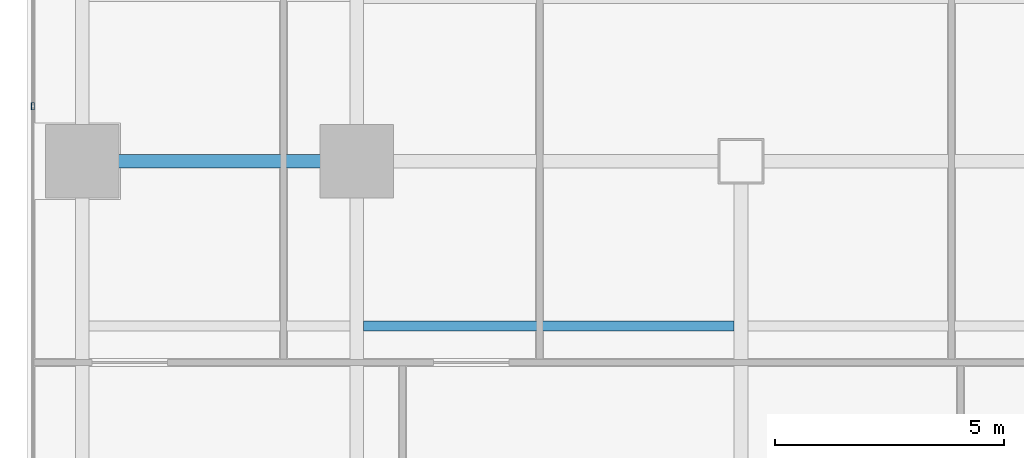
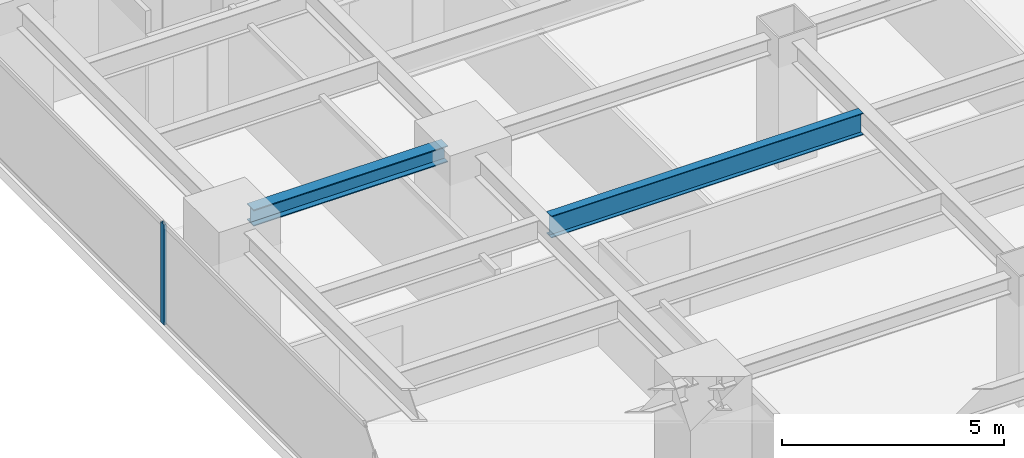
# One storey, part 7 of 29: 2 beams, 1 member, 1 element without a shape of its own.
"""IFC4 building model written with IfcOpenShell, lengths in metres."""

from ifc_helpers import new_model, si_unit, direction, frame, origin, origin_2d, place, context, subcontext, project, spatial, hollow_rectangle, i_section, extrude, source, transform, mapped, material, layer, layer_set, material_profile, profile_set, type_object, element, aggregate, save


model = new_model("IFC4")

# Units and contexts
model_context = context("Model", 3, precision=1e-05, world=origin(), true_north=direction((0.0, 1.0)))
body_context = subcontext(model_context, "Body", "Model", "MODEL_VIEW")
ifc_project = project(units=[si_unit("LENGTHUNIT", "METRE"), si_unit("AREAUNIT", "SQUARE_METRE"), si_unit("VOLUMEUNIT", "CUBIC_METRE"), si_unit("PLANEANGLEUNIT", "RADIAN"), si_unit("MASSUNIT", "GRAM", prefix="KILO")], contexts=[model_context])

# Site, building, storey
site_placement = place(None, origin())
site = spatial("IfcSite", under=ifc_project, at=site_placement, CompositionType="ELEMENT")
building_placement = place(site_placement, origin())
building = spatial("IfcBuilding", under=site, at=building_placement, Name="Sumidabori Civic Tower", CompositionType="ELEMENT")
storey_placement = place(building_placement, frame((0.0, 0.0, 131.60009765625)))
storey = spatial("IfcBuildingStorey", under=building, at=storey_placement, Name="L33", CompositionType="ELEMENT", Elevation=131.60009765625)

# Beams
ifc_material_1 = material(Name="Steel SN490", Category="steel")
ifc_material_profile_1 = material_profile(ifc_material_1, i_section(OverallWidth=0.219970703125, OverallDepth=0.60009765625, WebThickness=0.011962890625, FlangeThickness=0.01904296875, at=origin_2d()), Name="IPE 600")
ifc_profile_set_1 = profile_set([ifc_material_profile_1], Name="Steel SN490")
beam_type_1 = type_object("IfcBeamType", Name="BM-JST-600", PredefinedType="JOIST", material=ifc_profile_set_1)
shared_shape_1 = source(origin(), body_context, "Body", "SweptSolid", [
    extrude(i_section(OverallWidth=0.219970703125, OverallDepth=0.60009765625, WebThickness=0.011962890625, FlangeThickness=0.01904296875, at=origin_2d()), origin(), (0.0, 0.0, 1.0), 8.099853515625),
])
beam_1_placement = place(storey_placement, frame((-16.64990234375, -3.60009765625, 3.079833984375), z_axis=(1.0, 0.0, 0.0), x_axis=(0.0, 1.0, 0.0)))
element("IfcBeam", 1, at=beam_1_placement, inside=storey, type_object=beam_type_1, Name="South Bay Floor Joist L33 JSTS-57", PredefinedType="JOIST", context=body_context, shape_type="MappedRepresentation", body=[
    mapped(shared_shape_1, transform((0.0, 0.0, 0.0), x_axis=(1.0, 0.0, 0.0), y_axis=(0.0, 1.0, 0.0), z_axis=(0.0, 0.0, 1.0), scale=1.0)),
])
ifc_material_profile_2 = material_profile(ifc_material_1, i_section(OverallWidth=0.300048828125, OverallDepth=0.449951171875, WebThickness=0.013916015625, FlangeThickness=0.02587890625, at=origin_2d()), Name="HE 450 B")
ifc_profile_set_2 = profile_set([ifc_material_profile_2], Name="Steel SN490")
beam_type_2 = type_object("IfcBeamType", Name="BM-GIRD-450", PredefinedType="BEAM", material=ifc_profile_set_2)
shared_shape_2 = source(origin(), body_context, "Body", "SweptSolid", [
    extrude(i_section(OverallWidth=0.300048828125, OverallDepth=0.449951171875, WebThickness=0.013916015625, FlangeThickness=0.02587890625, at=origin_2d()), origin(), (0.0, 0.0, 1.0), 5.0400390625),
])
beam_2_placement = place(storey_placement, frame((-22.320068359375, 0.0, 3.15478515625), z_axis=(1.0, 0.0, 0.0), x_axis=(0.0, 1.0, 0.0)))
element("IfcBeam", 2, at=beam_2_placement, inside=storey, type_object=beam_type_2, Name="Primary Girder L33 GX-11", PredefinedType="BEAM", context=body_context, shape_type="MappedRepresentation", body=[
    mapped(shared_shape_2, transform((0.0, 0.0, 0.0), x_axis=(1.0, 0.0, 0.0), y_axis=(0.0, 1.0, 0.0), z_axis=(0.0, 0.0, 1.0), scale=1.0)),
])

# Curtain wall, member
ifc_material_2 = material(Name="Anodised Bronze Aluminium AW-6063-T6", Category="aluminium")
ifc_layer = layer(ifc_material_2, 0.179931640625, Name="Anodised Bronze Aluminium AW-6063-T6")
ifc_layer_set = layer_set([ifc_layer], Name="Anodised Bronze Aluminium AW-6063-T6")
curtain_wall_type = type_object("IfcCurtainWallType", Name="CW-SYS-3", PredefinedType="NOTDEFINED", material=ifc_layer_set)
curtain_wall_placement = place(storey_placement, origin())
curtain_wall = element("IfcCurtainWall", 3, at=curtain_wall_placement, inside=storey, type_object=curtain_wall_type, Name="Curtain Wall CW:L33:R10", PredefinedType="NOTDEFINED")
ifc_material_profile_3 = material_profile(ifc_material_2, hollow_rectangle(XDim=0.06494140625, YDim=0.159912109375, WallThickness=0.0048828125, at=origin_2d()), Name="ALU MULLION 160x65")
ifc_profile_set_3 = profile_set([ifc_material_profile_3], Name="Anodised Bronze Aluminium AW-6063-T6")
member_type = type_object("IfcMemberType", Name="CW-MUL-160", PredefinedType="MULLION", material=ifc_profile_set_3)
shared_shape_3 = source(origin(), body_context, "Body", "SweptSolid", [
    extrude(hollow_rectangle(XDim=0.06494140625, YDim=0.159912109375, WallThickness=0.0048828125, at=origin_2d()), origin(), (0.0, 0.0, 1.0), 2.760009765625),
])
member_placement = place(storey_placement, frame((-23.8798828125, 1.199951171875, 0.0), z_axis=(0.0, 0.0, 1.0), x_axis=(1.0, 0.0, 0.0)))
member = element("IfcMember", 4, at=member_placement, type_object=member_type, Name="CW-3 mullion 3", PredefinedType="MULLION", context=body_context, shape_type="MappedRepresentation", body=[
    mapped(shared_shape_3, transform((0.0, 0.0, 0.0), x_axis=(1.0, 0.0, 0.0), y_axis=(0.0, 1.0, 0.0), z_axis=(0.0, 0.0, 1.0), scale=1.0)),
])
aggregate(curtain_wall, [member])

save(model, "model.ifc")
